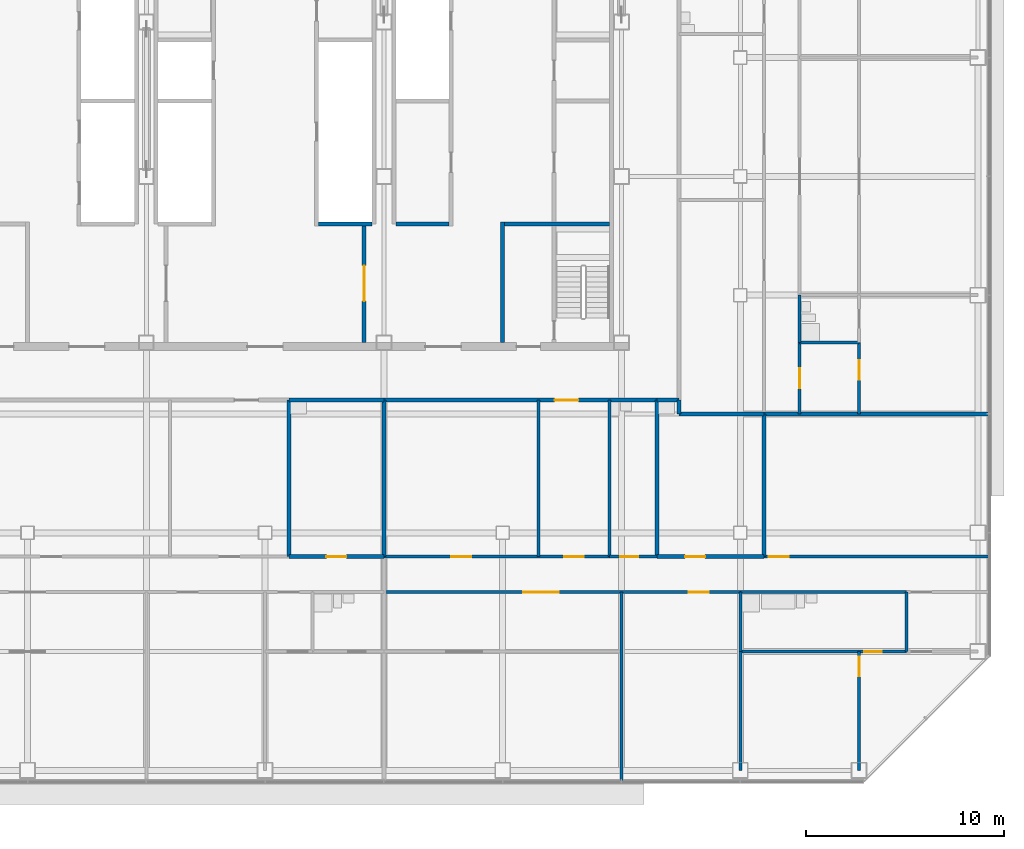
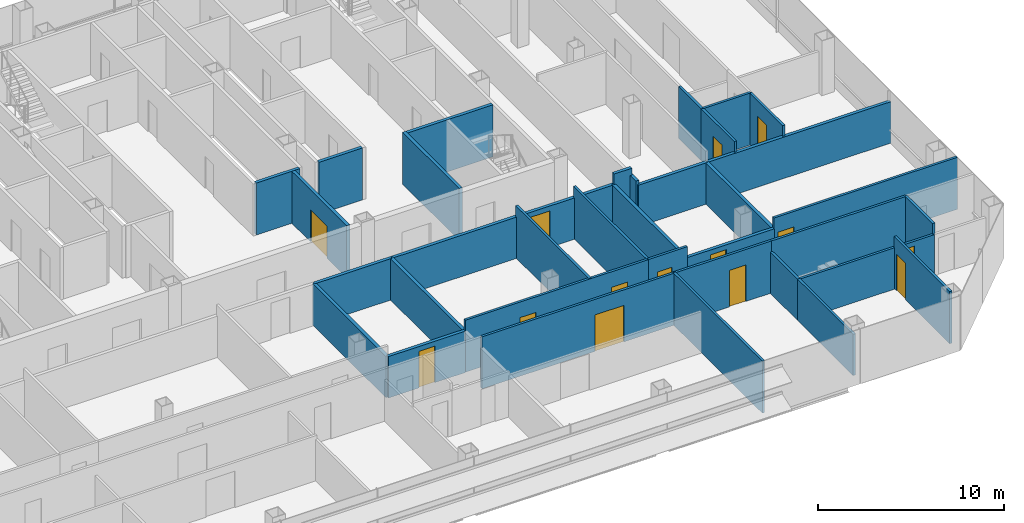
# One storey, part 20 of 25: 34 walls, 14 doors, 14 openings.
"""IFC4 building model written with IfcOpenShell, lengths in metres."""

from ifc_helpers import new_model, si_unit, direction, frame, frame_2d, origin, place, context, subcontext, project, spatial, rectangle, extrude, material, layer, layer_set, type_object, element, fill, save


model = new_model("IFC4")

# Units and contexts
model_context = context("Model", 3, precision=1e-05, world=origin(), true_north=direction((0.0, 1.0)))
body_context = subcontext(model_context, "Body", "Model", "MODEL_VIEW")
ifc_project = project(units=[si_unit("LENGTHUNIT", "METRE"), si_unit("AREAUNIT", "SQUARE_METRE"), si_unit("VOLUMEUNIT", "CUBIC_METRE"), si_unit("PLANEANGLEUNIT", "RADIAN"), si_unit("MASSUNIT", "GRAM", prefix="KILO")], contexts=[model_context])

# Site, building, storey
site_placement = place(None, origin())
site = spatial("IfcSite", under=ifc_project, at=site_placement, CompositionType="ELEMENT")
building_placement = place(site_placement, origin())
building = spatial("IfcBuilding", under=site, at=building_placement, Name="Sorahane Residences", CompositionType="ELEMENT")
storey_placement = place(building_placement, frame((0.0, 0.0, 130.39990234375)))
storey = spatial("IfcBuildingStorey", under=building, at=storey_placement, Name="L29", CompositionType="ELEMENT", Elevation=130.39990234375)

# Wall, opening, door
ifc_material_1 = material(Name="Concrete blockwork C20 wall", Category="masonry")
ifc_layer_1 = layer(ifc_material_1, 0.199951171875)
ifc_layer_set_1 = layer_set([ifc_layer_1], Name="Corridor wall 200 EI 120")
wall_type_1 = type_object("IfcWallType", Name="Corridor wall 200 EI 120", PredefinedType="SOLIDWALL", material=ifc_layer_set_1)
wall_1_placement = place(storey_placement, frame((30.0, 18.699951171875, 0.0), z_axis=(0.0, 0.0, 1.0), x_axis=(1.0, 0.0, 0.0)))
wall_1 = element("IfcWall", 1, at=wall_1_placement, inside=storey, type_object=wall_type_1, Name="L29 corridor wall", PredefinedType="SOLIDWALL", context=body_context, shape_type="SweptSolid", body=[
    extrude(rectangle(XDim=13.800048828125, YDim=0.199951171875, at=frame_2d((6.89990234375, 0.0))), origin(), (0.0, 0.0, 1.0), 2.72021484375),
])
opening_1_placement = place(wall_1_placement, frame((8.6201171875, 0.0, 0.0)))
opening_1 = element("IfcOpeningElement", 2, at=opening_1_placement, cuts=wall_1, Name="Opening L29-39", PredefinedType="OPENING", context=body_context, shape_type="SweptSolid", body=[
    extrude(rectangle(XDim=1.199951171875, YDim=2.39990234375, at=frame_2d((0.60009765625, 1.199951171875))), frame((0.0, 0.10986328125, 0.0), z_axis=(0.0, -1.0, 0.0), x_axis=(1.0, 0.0, 0.0)), (0.0, 0.0, 1.0), 0.219970703125),
])
ifc_material_2 = material(Name="Timber veneered fire door", Category="wood")
door_type_1 = type_object("IfcDoorType", Name="Flat entrance door 1200x2400 FD60", OperationType="NOTDEFINED", PredefinedType="DOOR", material=ifc_material_2)
door_1_placement = place(opening_1_placement, frame((1.199951171875, 0.0, 0.0), z_axis=(0.0, 0.0, 1.0), x_axis=(-1.0, 0.0, 0.0)))
door_1 = element("IfcDoor", 3, at=door_1_placement, inside=storey, type_object=door_type_1, Name="Flat entrance door L29-39", OperationType="SINGLE_SWING_LEFT", OverallHeight=2.39990234375, OverallWidth=1.199951171875, PredefinedType="DOOR", context=body_context, shape_type="SweptSolid", body=[
    extrude(rectangle(XDim=1.199951171875, YDim=2.39990234375, at=frame_2d((0.60009765625, 1.199951171875))), frame((0.0, 0.02490234375, 0.0), z_axis=(0.0, -1.0, 0.0), x_axis=(1.0, 0.0, 0.0)), (0.0, 0.0, 1.0), 0.050048828125),
])
fill(opening_1, door_1)

# Walls
ifc_material_3 = material(Name="Concrete C30", Category="concrete")
ifc_layer_2 = layer(ifc_material_3, 0.199951171875)
ifc_layer_set_2 = layer_set([ifc_layer_2], Name="Front room wall 200 EI 120")
wall_type_2 = type_object("IfcWallType", Name="Front room wall 200 EI 120", PredefinedType="PARTITIONING", material=ifc_layer_set_2)
wall_2_placement = place(storey_placement, frame((36.0, 21.60009765625, 0.0), z_axis=(0.0, 0.0, 1.0), x_axis=(0.0, 1.0, 0.0)))
element("IfcWall", 4, at=wall_2_placement, inside=storey, type_object=wall_type_2, Name="L29 front room wall", PredefinedType="PARTITIONING", context=body_context, shape_type="SweptSolid", body=[
    extrude(rectangle(XDim=6.099853515625, YDim=0.199951171875, at=frame_2d((3.0498046875, 0.0))), origin(), (0.0, 0.0, 1.0), 3.420166015625),
])
ifc_material_4 = material(Name="Concrete blockwork C20 wall", Category="masonry")
ifc_layer_3 = layer(ifc_material_4, 0.199951171875)
ifc_layer_set_3 = layer_set([ifc_layer_3], Name="Kitchen wall 200 EI 180")
wall_type_3 = type_object("IfcWallType", Name="Kitchen wall 200 EI 180", PredefinedType="SOLIDWALL", material=ifc_layer_set_3)
for number, where, z_axis, x_axis, name in (
    (5, (25.199951171875, 10.800048828125, 0.0), (0.0, 0.0, 1.0), (0.0, 1.0, 0.0), "L29 kitchen wall"),
    (6, (30.0, 10.800048828125, 0.0), (0.0, 0.0, 1.0), (0.0, 1.0, 0.0), "L29 kitchen wall"),
    (7, (43.800048828125, 10.800048828125, 0.0), (0.0, 0.0, 1.0), (0.0, 1.0, 0.0), "L29 kitchen wall"),
):
    element("IfcWall", number, at=place(storey_placement, frame(where, z_axis=z_axis, x_axis=x_axis)), inside=storey, type_object=wall_type_3, Name=name, PredefinedType="SOLIDWALL", context=body_context, shape_type="SweptSolid", body=[
        extrude(rectangle(XDim=7.89990234375, YDim=0.199951171875, at=frame_2d((3.949951171875, 0.0))), origin(), (0.0, 0.0, 1.0), 2.72021484375),
    ])
wall_3_placement = place(storey_placement, frame((44.89990234375, 18.0, 0.0), z_axis=(0.0, 0.0, 1.0), x_axis=(0.0, 1.0, 0.0)))
element("IfcWall", 8, at=wall_3_placement, inside=storey, type_object=wall_type_3, Name="L29 kitchen wall", PredefinedType="SOLIDWALL", context=body_context, shape_type="SweptSolid", body=[
    extrude(rectangle(XDim=0.699951171875, YDim=0.199951171875, at=frame_2d((0.35009765625, 0.0))), origin(), (0.0, 0.0, 1.0), 2.97021484375),
])
wall_4_placement = place(storey_placement, frame((49.199951171875, 10.800048828125, 0.0), z_axis=(0.0, 0.0, 1.0), x_axis=(0.0, 1.0, 0.0)))
element("IfcWall", 9, at=wall_4_placement, inside=storey, type_object=wall_type_3, Name="L29 kitchen wall", PredefinedType="SOLIDWALL", context=body_context, shape_type="SweptSolid", body=[
    extrude(rectangle(XDim=7.199951171875, YDim=0.199951171875, at=frame_2d((3.60009765625, 0.0))), origin(), (0.0, 0.0, 1.0), 2.72021484375),
])

# Wall, opening, door
wall_5_placement = place(storey_placement, frame((25.199951171875, 10.800048828125, 0.0), z_axis=(0.0, 0.0, 1.0), x_axis=(1.0, 0.0, 0.0)))
wall_5 = element("IfcWall", 10, at=wall_5_placement, inside=storey, type_object=wall_type_3, Name="L29 kitchen wall", PredefinedType="SOLIDWALL", context=body_context, shape_type="SweptSolid", body=[
    extrude(rectangle(XDim=4.800048828125, YDim=0.199951171875, at=frame_2d((2.39990234375, 0.0))), origin(), (0.0, 0.0, 1.0), 2.72021484375),
])
opening_2_placement = place(wall_5_placement, frame((1.89990234375, 0.0, 0.0)))
opening_2 = element("IfcOpeningElement", 11, at=opening_2_placement, cuts=wall_5, Name="Opening L29-05", PredefinedType="OPENING", context=body_context, shape_type="SweptSolid", body=[
    extrude(rectangle(XDim=1.0, YDim=2.39990234375, at=frame_2d((0.5, 1.199951171875))), frame((0.0, 0.10986328125, 0.0), z_axis=(0.0, -1.0, 0.0), x_axis=(1.0, 0.0, 0.0)), (0.0, 0.0, 1.0), 0.219970703125),
])
ifc_material_5 = material(Name="Steel", Category="steel")
door_type_2 = type_object("IfcDoorType", Name="Kitchen door 1000x2400 FD120", OperationType="NOTDEFINED", PredefinedType="DOOR", material=ifc_material_5)
door_2_placement = place(opening_2_placement, origin())
door_2 = element("IfcDoor", 12, at=door_2_placement, inside=storey, type_object=door_type_2, Name="Kitchen door L29-05", OperationType="SINGLE_SWING_LEFT", OverallHeight=2.39990234375, OverallWidth=1.0, PredefinedType="DOOR", context=body_context, shape_type="SweptSolid", body=[
    extrude(rectangle(XDim=1.0, YDim=2.39990234375, at=frame_2d((0.5, 1.199951171875))), frame((0.0, 0.02490234375, 0.0), z_axis=(0.0, -1.0, 0.0), x_axis=(1.0, 0.0, 0.0)), (0.0, 0.0, 1.0), 0.050048828125),
])
fill(opening_2, door_2)

wall_6_placement = place(storey_placement, frame((43.800048828125, 10.800048828125, 0.0), z_axis=(0.0, 0.0, 1.0), x_axis=(1.0, 0.0, 0.0)))
wall_6 = element("IfcWall", 13, at=wall_6_placement, inside=storey, type_object=wall_type_3, Name="L29 kitchen wall", PredefinedType="SOLIDWALL", context=body_context, shape_type="SweptSolid", body=[
    extrude(rectangle(XDim=5.39990234375, YDim=0.199951171875, at=frame_2d((2.699951171875, 0.0))), origin(), (0.0, 0.0, 1.0), 2.72021484375),
])
opening_3_placement = place(wall_6_placement, frame((1.419921875, 0.0, 0.0)))
opening_3 = element("IfcOpeningElement", 14, at=opening_3_placement, cuts=wall_6, Name="Opening L29-17", PredefinedType="OPENING", context=body_context, shape_type="SweptSolid", body=[
    extrude(rectangle(XDim=1.0, YDim=2.39990234375, at=frame_2d((0.5, 1.199951171875))), frame((0.0, 0.10986328125, 0.0), z_axis=(0.0, -1.0, 0.0), x_axis=(1.0, 0.0, 0.0)), (0.0, 0.0, 1.0), 0.219970703125),
])
door_3_placement = place(opening_3_placement, origin())
door_3 = element("IfcDoor", 15, at=door_3_placement, inside=storey, type_object=door_type_2, Name="Kitchen door L29-17", OperationType="SINGLE_SWING_RIGHT", OverallHeight=2.39990234375, OverallWidth=1.0, PredefinedType="DOOR", context=body_context, shape_type="SweptSolid", body=[
    extrude(rectangle(XDim=1.0, YDim=2.39990234375, at=frame_2d((0.5, 1.199951171875))), frame((0.0, 0.02490234375, 0.0), z_axis=(0.0, -1.0, 0.0), x_axis=(1.0, 0.0, 0.0)), (0.0, 0.0, 1.0), 0.050048828125),
])
fill(opening_3, door_3)

# Walls
wall_7_placement = place(storey_placement, frame((44.89990234375, 18.0, 0.0), z_axis=(0.0, 0.0, 1.0), x_axis=(1.0, 0.0, 0.0)))
element("IfcWall", 16, at=wall_7_placement, inside=storey, type_object=wall_type_3, Name="L29 kitchen wall", PredefinedType="SOLIDWALL", context=body_context, shape_type="SweptSolid", body=[
    extrude(rectangle(XDim=4.300048828125, YDim=0.199951171875, at=frame_2d((2.14990234375, 0.0))), origin(), (0.0, 0.0, 1.0), 2.72021484375),
])
wall_8_placement = place(storey_placement, frame((25.199951171875, 18.699951171875, 0.0), z_axis=(0.0, 0.0, 1.0), x_axis=(1.0, 0.0, 0.0)))
element("IfcWall", 17, at=wall_8_placement, inside=storey, type_object=wall_type_3, Name="L29 kitchen wall", PredefinedType="SOLIDWALL", context=body_context, shape_type="SweptSolid", body=[
    extrude(rectangle(XDim=4.800048828125, YDim=0.199951171875, at=frame_2d((2.39990234375, 0.0))), origin(), (0.0, 0.0, 1.0), 2.72021484375),
])
wall_9_placement = place(storey_placement, frame((43.800048828125, 18.699951171875, 0.0), z_axis=(0.0, 0.0, 1.0), x_axis=(1.0, 0.0, 0.0)))
element("IfcWall", 18, at=wall_9_placement, inside=storey, type_object=wall_type_3, Name="L29 kitchen wall", PredefinedType="SOLIDWALL", context=body_context, shape_type="SweptSolid", body=[
    extrude(rectangle(XDim=1.099853515625, YDim=0.199951171875, at=frame_2d((0.5498046875, 0.0))), origin(), (0.0, 0.0, 1.0), 3.420166015625),
])
ifc_material_6 = material(Name="Gypsum board partition on steel studs", Category="steel")
ifc_layer_4 = layer(ifc_material_6, 0.14990234375)
ifc_layer_set_4 = layer_set([ifc_layer_4], Name="Partition 150 EI 90")
wall_type_4 = type_object("IfcWallType", Name="Partition 150 EI 90", PredefinedType="PARTITIONING", material=ifc_layer_set_4)
wall_10_placement = place(storey_placement, frame((37.800048828125, 10.800048828125, 0.0), z_axis=(0.0, 0.0, 1.0), x_axis=(0.0, 1.0, 0.0)))
element("IfcWall", 19, at=wall_10_placement, inside=storey, type_object=wall_type_4, Name="L29 partition", PredefinedType="PARTITIONING", context=body_context, shape_type="SweptSolid", body=[
    extrude(rectangle(XDim=7.89990234375, YDim=0.14990234375, at=frame_2d((3.949951171875, 0.0))), origin(), (0.0, 0.0, 1.0), 3.420166015625),
])
wall_11_placement = place(storey_placement, frame((42.0, -0.60009765625, 0.0), z_axis=(0.0, 0.0, 1.0), x_axis=(0.0, 1.0, 0.0)))
element("IfcWall", 20, at=wall_11_placement, inside=storey, type_object=wall_type_4, Name="L29 partition", PredefinedType="PARTITIONING", context=body_context, shape_type="SweptSolid", body=[
    extrude(rectangle(XDim=9.60009765625, YDim=0.14990234375, at=frame_2d((4.800048828125, 0.0))), origin(), (0.0, 0.0, 1.0), 3.420166015625),
])
wall_12_placement = place(storey_placement, frame((48.0, 0.0, 0.0), z_axis=(0.0, 0.0, 1.0), x_axis=(0.0, 1.0, 0.0)))
element("IfcWall", 21, at=wall_12_placement, inside=storey, type_object=wall_type_4, Name="L29 partition", PredefinedType="PARTITIONING", context=body_context, shape_type="SweptSolid", body=[
    extrude(rectangle(XDim=6.0, YDim=0.14990234375, at=frame_2d((3.0, 0.0))), origin(), (0.0, 0.0, 1.0), 2.72021484375),
])

# Wall, opening, door
wall_13_placement = place(storey_placement, frame((51.0, 18.0, 0.0), z_axis=(0.0, 0.0, 1.0), x_axis=(0.0, 1.0, 0.0)))
wall_13 = element("IfcWall", 22, at=wall_13_placement, inside=storey, type_object=wall_type_4, Name="L29 partition", PredefinedType="PARTITIONING", context=body_context, shape_type="SweptSolid", body=[
    extrude(rectangle(XDim=3.60009765625, YDim=0.14990234375, at=frame_2d((1.800048828125, 0.0))), origin(), (0.0, 0.0, 1.0), 3.420166015625),
])
opening_4_placement = place(wall_13_placement, frame((1.300048828125, 0.0, 0.0)))
opening_4 = element("IfcOpeningElement", 23, at=opening_4_placement, cuts=wall_13, Name="Opening L29-31", PredefinedType="OPENING", context=body_context, shape_type="SweptSolid", body=[
    extrude(rectangle(XDim=1.0, YDim=2.39990234375, at=frame_2d((0.5, 1.199951171875))), frame((0.0, 0.0849609375, 0.0), z_axis=(0.0, -1.0, 0.0), x_axis=(1.0, 0.0, 0.0)), (0.0, 0.0, 1.0), 0.169921875),
])
ifc_material_7 = material(Name="Timber veneered fire door", Category="wood")
door_type_3 = type_object("IfcDoorType", Name="Room door 1000x2400 FD30", OperationType="NOTDEFINED", PredefinedType="DOOR", material=ifc_material_7)
door_4_placement = place(opening_4_placement, frame((1.0, 0.0, 0.0), z_axis=(0.0, 0.0, 1.0), x_axis=(-1.0, 0.0, 0.0)))
door_4 = element("IfcDoor", 24, at=door_4_placement, inside=storey, type_object=door_type_3, Name="Room door L29-31", OperationType="SINGLE_SWING_LEFT", OverallHeight=2.39990234375, OverallWidth=1.0, PredefinedType="DOOR", context=body_context, shape_type="SweptSolid", body=[
    extrude(rectangle(XDim=1.0, YDim=2.39990234375, at=frame_2d((0.5, 1.199951171875))), frame((0.0, 0.02490234375, 0.0), z_axis=(0.0, -1.0, 0.0), x_axis=(1.0, 0.0, 0.0)), (0.0, 0.0, 1.0), 0.050048828125),
])
fill(opening_4, door_4)

wall_14_placement = place(storey_placement, frame((54.0, 0.0, 0.0), z_axis=(0.0, 0.0, 1.0), x_axis=(0.0, 1.0, 0.0)))
wall_14 = element("IfcWall", 25, at=wall_14_placement, inside=storey, type_object=wall_type_4, Name="L29 partition", PredefinedType="PARTITIONING", context=body_context, shape_type="SweptSolid", body=[
    extrude(rectangle(XDim=6.0, YDim=0.14990234375, at=frame_2d((3.0, 0.0))), origin(), (0.0, 0.0, 1.0), 3.420166015625),
])
opening_5_placement = place(wall_14_placement, frame((4.75, 0.0, 0.0)))
opening_5 = element("IfcOpeningElement", 26, at=opening_5_placement, cuts=wall_14, Name="Opening L29-24", PredefinedType="OPENING", context=body_context, shape_type="SweptSolid", body=[
    extrude(rectangle(XDim=1.0, YDim=2.39990234375, at=frame_2d((0.5, 1.199951171875))), frame((0.0, 0.0849609375, 0.0), z_axis=(0.0, -1.0, 0.0), x_axis=(1.0, 0.0, 0.0)), (0.0, 0.0, 1.0), 0.169921875),
])
door_5_placement = place(opening_5_placement, origin())
door_5 = element("IfcDoor", 27, at=door_5_placement, inside=storey, type_object=door_type_3, Name="Room door L29-24", OperationType="SINGLE_SWING_LEFT", OverallHeight=2.39990234375, OverallWidth=1.0, PredefinedType="DOOR", context=body_context, shape_type="SweptSolid", body=[
    extrude(rectangle(XDim=1.0, YDim=2.39990234375, at=frame_2d((0.5, 1.199951171875))), frame((0.0, 0.02490234375, 0.0), z_axis=(0.0, -1.0, 0.0), x_axis=(1.0, 0.0, 0.0)), (0.0, 0.0, 1.0), 0.050048828125),
])
fill(opening_5, door_5)

wall_15_placement = place(storey_placement, frame((54.0, 18.0, 0.0), z_axis=(0.0, 0.0, 1.0), x_axis=(0.0, 1.0, 0.0)))
wall_15 = element("IfcWall", 28, at=wall_15_placement, inside=storey, type_object=wall_type_4, Name="L29 partition", PredefinedType="PARTITIONING", context=body_context, shape_type="SweptSolid", body=[
    extrude(rectangle(XDim=3.60009765625, YDim=0.14990234375, at=frame_2d((1.800048828125, 0.0))), origin(), (0.0, 0.0, 1.0), 3.420166015625),
])
opening_6_placement = place(wall_15_placement, frame((1.719970703125, 0.0, 0.0)))
opening_6 = element("IfcOpeningElement", 29, at=opening_6_placement, cuts=wall_15, Name="Opening L29-34", PredefinedType="OPENING", context=body_context, shape_type="SweptSolid", body=[
    extrude(rectangle(XDim=1.0, YDim=2.39990234375, at=frame_2d((0.5, 1.199951171875))), frame((0.0, 0.0849609375, 0.0), z_axis=(0.0, -1.0, 0.0), x_axis=(1.0, 0.0, 0.0)), (0.0, 0.0, 1.0), 0.169921875),
])
door_6_placement = place(opening_6_placement, frame((1.0, 0.0, 0.0), z_axis=(0.0, 0.0, 1.0), x_axis=(-1.0, 0.0, 0.0)))
door_6 = element("IfcDoor", 30, at=door_6_placement, inside=storey, type_object=door_type_3, Name="Room door L29-34", OperationType="SINGLE_SWING_LEFT", OverallHeight=2.39990234375, OverallWidth=1.0, PredefinedType="DOOR", context=body_context, shape_type="SweptSolid", body=[
    extrude(rectangle(XDim=1.0, YDim=2.39990234375, at=frame_2d((0.5, 1.199951171875))), frame((0.0, 0.02490234375, 0.0), z_axis=(0.0, -1.0, 0.0), x_axis=(1.0, 0.0, 0.0)), (0.0, 0.0, 1.0), 0.050048828125),
])
fill(opening_6, door_6)

# Wall, openings, doors
wall_16_placement = place(storey_placement, frame((30.0, 10.800048828125, 0.0), z_axis=(0.0, 0.0, 1.0), x_axis=(1.0, 0.0, 0.0)))
wall_16 = element("IfcWall", 31, at=wall_16_placement, inside=storey, type_object=wall_type_4, Name="L29 partition", PredefinedType="PARTITIONING", context=body_context, shape_type="SweptSolid", body=[
    extrude(rectangle(XDim=11.39990234375, YDim=0.14990234375, at=frame_2d((5.699951171875, 0.0))), origin(), (0.0, 0.0, 1.0), 3.420166015625),
])
opening_7_placement = place(wall_16_placement, frame((9.10009765625, 0.0, 0.0)))
opening_7 = element("IfcOpeningElement", 32, at=opening_7_placement, cuts=wall_16, Name="Opening L29-14", PredefinedType="OPENING", context=body_context, shape_type="SweptSolid", body=[
    extrude(rectangle(XDim=1.0, YDim=2.39990234375, at=frame_2d((0.5, 1.199951171875))), frame((0.0, 0.0849609375, 0.0), z_axis=(0.0, -1.0, 0.0), x_axis=(1.0, 0.0, 0.0)), (0.0, 0.0, 1.0), 0.169921875),
])
opening_8_placement = place(wall_16_placement, frame((3.39990234375, 0.0, 0.0)))
opening_8 = element("IfcOpeningElement", 33, at=opening_8_placement, cuts=wall_16, Name="Opening L29-15", PredefinedType="OPENING", context=body_context, shape_type="SweptSolid", body=[
    extrude(rectangle(XDim=1.0, YDim=2.39990234375, at=frame_2d((0.5, 1.199951171875))), frame((0.0, 0.0849609375, 0.0), z_axis=(0.0, -1.0, 0.0), x_axis=(1.0, 0.0, 0.0)), (0.0, 0.0, 1.0), 0.169921875),
])
door_7_placement = place(opening_7_placement, frame((1.0, 0.0, 0.0), z_axis=(0.0, 0.0, 1.0), x_axis=(-1.0, 0.0, 0.0)))
door_7 = element("IfcDoor", 34, at=door_7_placement, inside=storey, type_object=door_type_3, Name="Room door L29-14", OperationType="SINGLE_SWING_LEFT", OverallHeight=2.39990234375, OverallWidth=1.0, PredefinedType="DOOR", context=body_context, shape_type="SweptSolid", body=[
    extrude(rectangle(XDim=1.0, YDim=2.39990234375, at=frame_2d((0.5, 1.199951171875))), frame((0.0, 0.02490234375, 0.0), z_axis=(0.0, -1.0, 0.0), x_axis=(1.0, 0.0, 0.0)), (0.0, 0.0, 1.0), 0.050048828125),
])
fill(opening_7, door_7)
door_8_placement = place(opening_8_placement, origin())
door_8 = element("IfcDoor", 35, at=door_8_placement, inside=storey, type_object=door_type_3, Name="Room door L29-15", OperationType="SINGLE_SWING_LEFT", OverallHeight=2.39990234375, OverallWidth=1.0, PredefinedType="DOOR", context=body_context, shape_type="SweptSolid", body=[
    extrude(rectangle(XDim=1.0, YDim=2.39990234375, at=frame_2d((0.5, 1.199951171875))), frame((0.0, 0.02490234375, 0.0), z_axis=(0.0, -1.0, 0.0), x_axis=(1.0, 0.0, 0.0)), (0.0, 0.0, 1.0), 0.050048828125),
])
fill(opening_8, door_8)

# Wall, opening, door
wall_17_placement = place(storey_placement, frame((49.199951171875, 10.800048828125, 0.0), z_axis=(0.0, 0.0, 1.0), x_axis=(1.0, 0.0, 0.0)))
wall_17 = element("IfcWall", 36, at=wall_17_placement, inside=storey, type_object=wall_type_4, Name="L29 partition", PredefinedType="PARTITIONING", context=body_context, shape_type="SweptSolid", body=[
    extrude(rectangle(XDim=11.400146484375, YDim=0.14990234375, at=frame_2d((5.7001953125, 0.0))), origin(), (0.0, 0.0, 1.0), 3.420166015625),
])
opening_9_placement = place(wall_17_placement, frame((0.25, 0.0, 0.0)))
opening_9 = element("IfcOpeningElement", 37, at=opening_9_placement, cuts=wall_17, Name="Opening L29-18", PredefinedType="OPENING", context=body_context, shape_type="SweptSolid", body=[
    extrude(rectangle(XDim=1.0, YDim=2.39990234375, at=frame_2d((0.5, 1.199951171875))), frame((0.0, 0.0849609375, 0.0), z_axis=(0.0, -1.0, 0.0), x_axis=(1.0, 0.0, 0.0)), (0.0, 0.0, 1.0), 0.169921875),
])
door_9_placement = place(opening_9_placement, origin())
door_9 = element("IfcDoor", 38, at=door_9_placement, inside=storey, type_object=door_type_3, Name="Room door L29-18", OperationType="SINGLE_SWING_LEFT", OverallHeight=2.39990234375, OverallWidth=1.0, PredefinedType="DOOR", context=body_context, shape_type="SweptSolid", body=[
    extrude(rectangle(XDim=1.0, YDim=2.39990234375, at=frame_2d((0.5, 1.199951171875))), frame((0.0, 0.02490234375, 0.0), z_axis=(0.0, -1.0, 0.0), x_axis=(1.0, 0.0, 0.0)), (0.0, 0.0, 1.0), 0.050048828125),
])
fill(opening_9, door_9)

# Wall, openings, doors
wall_18_placement = place(storey_placement, frame((30.0, 9.0, 0.0), z_axis=(0.0, 0.0, 1.0), x_axis=(1.0, 0.0, 0.0)))
wall_18 = element("IfcWall", 39, at=wall_18_placement, inside=storey, type_object=wall_type_4, Name="L29 partition", PredefinedType="PARTITIONING", context=body_context, shape_type="SweptSolid", body=[
    extrude(rectangle(XDim=18.0, YDim=0.14990234375, at=frame_2d((9.0, 0.0))), origin(), (0.0, 0.0, 1.0), 3.420166015625),
])
opening_10_placement = place(wall_18_placement, frame((7.0400390625, 0.0, 0.0)))
opening_10 = element("IfcOpeningElement", 40, at=opening_10_placement, cuts=wall_18, Name="Opening L29-19", PredefinedType="OPENING", context=body_context, shape_type="SweptSolid", body=[
    extrude(rectangle(XDim=1.800048828125, YDim=2.39990234375, at=frame_2d((0.89990234375, 1.199951171875))), frame((0.0, 0.0849609375, 0.0), z_axis=(0.0, -1.0, 0.0), x_axis=(1.0, 0.0, 0.0)), (0.0, 0.0, 1.0), 0.169921875),
])
opening_11_placement = place(wall_18_placement, frame((15.39990234375, 0.0, 0.0)))
opening_11 = element("IfcOpeningElement", 41, at=opening_11_placement, cuts=wall_18, Name="Opening L29-20", PredefinedType="OPENING", context=body_context, shape_type="SweptSolid", body=[
    extrude(rectangle(XDim=1.0, YDim=2.39990234375, at=frame_2d((0.5, 1.199951171875))), frame((0.0, 0.0849609375, 0.0), z_axis=(0.0, -1.0, 0.0), x_axis=(1.0, 0.0, 0.0)), (0.0, 0.0, 1.0), 0.169921875),
])
ifc_material_8 = material(Name="Timber veneered fire door", Category="wood")
door_type_4 = type_object("IfcDoorType", Name="Double door 1800x2400 FD30", OperationType="NOTDEFINED", PredefinedType="DOOR", material=ifc_material_8)
door_10_placement = place(opening_10_placement, frame((1.800048828125, 0.0, 0.0), z_axis=(0.0, 0.0, 1.0), x_axis=(-1.0, 0.0, 0.0)))
door_10 = element("IfcDoor", 42, at=door_10_placement, inside=storey, type_object=door_type_4, Name="Double door L29-19", OperationType="SINGLE_SWING_RIGHT", OverallHeight=2.39990234375, OverallWidth=1.800048828125, PredefinedType="DOOR", context=body_context, shape_type="SweptSolid", body=[
    extrude(rectangle(XDim=1.800048828125, YDim=2.39990234375, at=frame_2d((0.89990234375, 1.199951171875))), frame((0.0, 0.02490234375, 0.0), z_axis=(0.0, -1.0, 0.0), x_axis=(1.0, 0.0, 0.0)), (0.0, 0.0, 1.0), 0.050048828125),
])
fill(opening_10, door_10)
door_11_placement = place(opening_11_placement, frame((1.0, 0.0, 0.0), z_axis=(0.0, 0.0, 1.0), x_axis=(-1.0, 0.0, 0.0)))
door_11 = element("IfcDoor", 43, at=door_11_placement, inside=storey, type_object=door_type_3, Name="Room door L29-20", OperationType="SINGLE_SWING_LEFT", OverallHeight=2.39990234375, OverallWidth=1.0, PredefinedType="DOOR", context=body_context, shape_type="SweptSolid", body=[
    extrude(rectangle(XDim=1.0, YDim=2.39990234375, at=frame_2d((0.5, 1.199951171875))), frame((0.0, 0.02490234375, 0.0), z_axis=(0.0, -1.0, 0.0), x_axis=(1.0, 0.0, 0.0)), (0.0, 0.0, 1.0), 0.050048828125),
])
fill(opening_11, door_11)

# Walls
ifc_material_9 = material(Name="Concrete blockwork C20 wall", Category="masonry")
ifc_layer_5 = layer(ifc_material_9, 0.199951171875)
ifc_layer_set_5 = layer_set([ifc_layer_5], Name="Party wall 200 EI 120")
wall_type_5 = type_object("IfcWallType", Name="Party wall 200 EI 120", PredefinedType="SOLIDWALL", material=ifc_layer_set_5)
wall_19_placement = place(storey_placement, frame((49.199951171875, 18.0, 0.0), z_axis=(0.0, 0.0, 1.0), x_axis=(1.0, 0.0, 0.0)))
element("IfcWall", 44, at=wall_19_placement, inside=storey, type_object=wall_type_5, Name="L29 party wall", PredefinedType="SOLIDWALL", context=body_context, shape_type="SweptSolid", body=[
    extrude(rectangle(XDim=11.400146484375, YDim=0.199951171875, at=frame_2d((5.7001953125, 0.0))), origin(), (0.0, 0.0, 1.0), 2.72021484375),
])
ifc_material_10 = material(Name="Concrete C30", Category="concrete")
ifc_layer_6 = layer(ifc_material_10, 0.199951171875)
ifc_layer_set_6 = layer_set([ifc_layer_6], Name="Riser shaft wall 200 EI 120")
wall_type_6 = type_object("IfcWallType", Name="Riser shaft wall 200 EI 120", PredefinedType="SOLIDWALL", material=ifc_layer_set_6)
wall_20_placement = place(storey_placement, frame((26.699951171875, 27.60009765625, 0.0), z_axis=(0.0, 0.0, 1.0), x_axis=(1.0, 0.0, 0.0)))
element("IfcWall", 45, at=wall_20_placement, inside=storey, type_object=wall_type_6, Name="L29 riser wall", PredefinedType="SOLIDWALL", context=body_context, shape_type="SweptSolid", body=[
    extrude(rectangle(XDim=2.699951171875, YDim=0.199951171875, at=frame_2d((1.35009765625, 0.0))), origin(), (0.0, 0.0, 1.0), 3.420166015625),
])

# Wall, opening, door
ifc_material_11 = material(Name="Concrete C30", Category="concrete")
ifc_layer_7 = layer(ifc_material_11, 0.199951171875)
ifc_layer_set_7 = layer_set([ifc_layer_7], Name="Service room partition 200 EI 60")
wall_type_7 = type_object("IfcWallType", Name="Service room partition 200 EI 60", PredefinedType="PARTITIONING", material=ifc_layer_set_7)
wall_21_placement = place(storey_placement, frame((29.0, 21.60009765625, 0.0), z_axis=(0.0, 0.0, 1.0), x_axis=(0.0, 1.0, 0.0)))
wall_21 = element("IfcWall", 46, at=wall_21_placement, inside=storey, type_object=wall_type_7, Name="L29 service room wall", PredefinedType="PARTITIONING", context=body_context, shape_type="SweptSolid", body=[
    extrude(rectangle(XDim=6.0, YDim=0.199951171875, at=frame_2d((3.0, 0.0))), origin(), (0.0, 0.0, 1.0), 3.420166015625),
])
opening_12_placement = place(wall_21_placement, frame((2.10009765625, 0.0, 0.0)))
opening_12 = element("IfcOpeningElement", 47, at=opening_12_placement, cuts=wall_21, Name="Opening L29-C04", PredefinedType="OPENING", context=body_context, shape_type="SweptSolid", body=[
    extrude(rectangle(XDim=1.800048828125, YDim=2.10009765625, at=frame_2d((0.89990234375, 1.050048828125))), frame((0.0, 0.10986328125, 0.0), z_axis=(0.0, -1.0, 0.0), x_axis=(1.0, 0.0, 0.0)), (0.0, 0.0, 1.0), 0.219970703125),
])
ifc_material_12 = material(Name="Steel", Category="steel")
door_type_5 = type_object("IfcDoorType", Name="Waiting hall door 1800x2100 FD60", OperationType="NOTDEFINED", PredefinedType="DOOR", material=ifc_material_12)
door_12_placement = place(opening_12_placement, origin())
door_12 = element("IfcDoor", 48, at=door_12_placement, inside=storey, type_object=door_type_5, Name="Waiting hall door Residents' waiting hall centre L29", OperationType="SINGLE_SWING_LEFT", OverallHeight=2.10009765625, OverallWidth=1.800048828125, PredefinedType="DOOR", context=body_context, shape_type="SweptSolid", body=[
    extrude(rectangle(XDim=1.800048828125, YDim=2.10009765625, at=frame_2d((0.89990234375, 1.050048828125))), frame((0.0, 0.02490234375, 0.0), z_axis=(0.0, -1.0, 0.0), x_axis=(1.0, 0.0, 0.0)), (0.0, 0.0, 1.0), 0.050048828125),
])
fill(opening_12, door_12)

# Walls
wall_22_placement = place(storey_placement, frame((30.60009765625, 27.60009765625, 0.0), z_axis=(0.0, 0.0, 1.0), x_axis=(1.0, 0.0, 0.0)))
element("IfcWall", 49, at=wall_22_placement, inside=storey, type_object=wall_type_7, Name="L29 service room wall", PredefinedType="PARTITIONING", context=body_context, shape_type="SweptSolid", body=[
    extrude(rectangle(XDim=2.699951171875, YDim=0.199951171875, at=frame_2d((1.35009765625, 0.0))), origin(), (0.0, 0.0, 1.0), 3.420166015625),
])
ifc_material_13 = material(Name="Concrete C30", Category="concrete")
ifc_layer_8 = layer(ifc_material_13, 0.199951171875)
ifc_layer_set_8 = layer_set([ifc_layer_8], Name="Stair enclosure wall 200 EI 120")
wall_type_8 = type_object("IfcWallType", Name="Stair enclosure wall 200 EI 120", PredefinedType="SOLIDWALL", material=ifc_layer_set_8)
wall_23_placement = place(storey_placement, frame((36.10009765625, 27.60009765625, 0.0), z_axis=(0.0, 0.0, 1.0), x_axis=(1.0, 0.0, 0.0)))
element("IfcWall", 50, at=wall_23_placement, inside=storey, type_object=wall_type_8, Name="L29 stair enclosure wall", PredefinedType="SOLIDWALL", context=body_context, shape_type="SweptSolid", body=[
    extrude(rectangle(XDim=5.2998046875, YDim=0.199951171875, at=frame_2d((2.64990234375, 0.0))), origin(), (0.0, 0.0, 1.0), 3.420166015625),
])
ifc_material_14 = material(Name="Gypsum board partition on steel studs", Category="steel")
ifc_layer_9 = layer(ifc_material_14, 0.14990234375)
ifc_layer_set_9 = layer_set([ifc_layer_9], Name="Wet wall 150 EI 90")
wall_type_9 = type_object("IfcWallType", Name="Wet wall 150 EI 90", PredefinedType="PARTITIONING", material=ifc_layer_set_9)
wall_24_placement = place(storey_placement, frame((41.39990234375, 10.800048828125, 0.0), z_axis=(0.0, 0.0, 1.0), x_axis=(0.0, 1.0, 0.0)))
element("IfcWall", 51, at=wall_24_placement, inside=storey, type_object=wall_type_9, Name="L29 wet wall", PredefinedType="PARTITIONING", context=body_context, shape_type="SweptSolid", body=[
    extrude(rectangle(XDim=7.89990234375, YDim=0.14990234375, at=frame_2d((3.949951171875, 0.0))), origin(), (0.0, 0.0, 1.0), 3.420166015625),
])
wall_25_placement = place(storey_placement, frame((48.0, 6.0, 0.0), z_axis=(0.0, 0.0, 1.0), x_axis=(0.0, 1.0, 0.0)))
element("IfcWall", 52, at=wall_25_placement, inside=storey, type_object=wall_type_9, Name="L29 wet wall", PredefinedType="PARTITIONING", context=body_context, shape_type="SweptSolid", body=[
    extrude(rectangle(XDim=3.0, YDim=0.14990234375, at=frame_2d((1.5, 0.0))), origin(), (0.0, 0.0, 1.0), 2.72021484375),
])
wall_26_placement = place(storey_placement, frame((51.0, 21.60009765625, 0.0), z_axis=(0.0, 0.0, 1.0), x_axis=(0.0, 1.0, 0.0)))
element("IfcWall", 53, at=wall_26_placement, inside=storey, type_object=wall_type_9, Name="L29 wet wall", PredefinedType="PARTITIONING", context=body_context, shape_type="SweptSolid", body=[
    extrude(rectangle(XDim=2.39990234375, YDim=0.14990234375, at=frame_2d((1.199951171875, 0.0))), origin(), (0.0, 0.0, 1.0), 3.420166015625),
])
wall_27_placement = place(storey_placement, frame((56.39990234375, 6.0, 0.0), z_axis=(0.0, 0.0, 1.0), x_axis=(0.0, 1.0, 0.0)))
element("IfcWall", 54, at=wall_27_placement, inside=storey, type_object=wall_type_9, Name="L29 wet wall", PredefinedType="PARTITIONING", context=body_context, shape_type="SweptSolid", body=[
    extrude(rectangle(XDim=3.0, YDim=0.14990234375, at=frame_2d((1.5, 0.0))), origin(), (0.0, 0.0, 1.0), 3.420166015625),
])

# Wall, opening, door
wall_28_placement = place(storey_placement, frame((41.39990234375, 10.800048828125, 0.0), z_axis=(0.0, 0.0, 1.0), x_axis=(1.0, 0.0, 0.0)))
wall_28 = element("IfcWall", 55, at=wall_28_placement, inside=storey, type_object=wall_type_9, Name="L29 wet wall", PredefinedType="PARTITIONING", context=body_context, shape_type="SweptSolid", body=[
    extrude(rectangle(XDim=2.400146484375, YDim=0.14990234375, at=frame_2d((1.2001953125, 0.0))), origin(), (0.0, 0.0, 1.0), 3.420166015625),
])
opening_13_placement = place(wall_28_placement, frame((0.550048828125, 0.0, 0.0)))
opening_13 = element("IfcOpeningElement", 56, at=opening_13_placement, cuts=wall_28, Name="Opening L29-16", PredefinedType="OPENING", context=body_context, shape_type="SweptSolid", body=[
    extrude(rectangle(XDim=0.89990234375, YDim=2.39990234375, at=frame_2d((0.449951171875, 1.199951171875))), frame((0.0, 0.0849609375, 0.0), z_axis=(0.0, -1.0, 0.0), x_axis=(1.0, 0.0, 0.0)), (0.0, 0.0, 1.0), 0.169921875),
])
ifc_material_15 = material(Name="Timber veneered fire door", Category="wood")
door_type_6 = type_object("IfcDoorType", Name="Bathroom door 900x2400 FD30", OperationType="NOTDEFINED", PredefinedType="DOOR", material=ifc_material_15)
door_13_placement = place(opening_13_placement, frame((0.89990234375, 0.0, 0.0), z_axis=(0.0, 0.0, 1.0), x_axis=(-1.0, 0.0, 0.0)))
door_13 = element("IfcDoor", 57, at=door_13_placement, inside=storey, type_object=door_type_6, Name="Bathroom door L29-16", OperationType="SINGLE_SWING_RIGHT", OverallHeight=2.39990234375, OverallWidth=0.89990234375, PredefinedType="DOOR", context=body_context, shape_type="SweptSolid", body=[
    extrude(rectangle(XDim=0.89990234375, YDim=2.39990234375, at=frame_2d((0.449951171875, 1.199951171875))), frame((0.0, 0.02490234375, 0.0), z_axis=(0.0, -1.0, 0.0), x_axis=(1.0, 0.0, 0.0)), (0.0, 0.0, 1.0), 0.050048828125),
])
fill(opening_13, door_13)

# Wall
wall_29_placement = place(storey_placement, frame((51.0, 21.60009765625, 0.0), z_axis=(0.0, 0.0, 1.0), x_axis=(1.0, 0.0, 0.0)))
element("IfcWall", 58, at=wall_29_placement, inside=storey, type_object=wall_type_9, Name="L29 wet wall", PredefinedType="PARTITIONING", context=body_context, shape_type="SweptSolid", body=[
    extrude(rectangle(XDim=3.0, YDim=0.14990234375, at=frame_2d((1.5, 0.0))), origin(), (0.0, 0.0, 1.0), 3.420166015625),
])

# Wall, opening, door
wall_30_placement = place(storey_placement, frame((48.0, 6.0, 0.0), z_axis=(0.0, 0.0, 1.0), x_axis=(1.0, 0.0, 0.0)))
wall_30 = element("IfcWall", 59, at=wall_30_placement, inside=storey, type_object=wall_type_9, Name="L29 wet wall", PredefinedType="PARTITIONING", context=body_context, shape_type="SweptSolid", body=[
    extrude(rectangle(XDim=8.39990234375, YDim=0.14990234375, at=frame_2d((4.199951171875, 0.0))), origin(), (0.0, 0.0, 1.0), 2.72021484375),
])
opening_14_placement = place(wall_30_placement, frame((6.25, 0.0, 0.0)))
opening_14 = element("IfcOpeningElement", 60, at=opening_14_placement, cuts=wall_30, Name="Opening L29-25", PredefinedType="OPENING", context=body_context, shape_type="SweptSolid", body=[
    extrude(rectangle(XDim=0.89990234375, YDim=2.39990234375, at=frame_2d((0.449951171875, 1.199951171875))), frame((0.0, 0.0849609375, 0.0), z_axis=(0.0, -1.0, 0.0), x_axis=(1.0, 0.0, 0.0)), (0.0, 0.0, 1.0), 0.169921875),
])
door_14_placement = place(opening_14_placement, frame((0.89990234375, 0.0, 0.0), z_axis=(0.0, 0.0, 1.0), x_axis=(-1.0, 0.0, 0.0)))
door_14 = element("IfcDoor", 61, at=door_14_placement, inside=storey, type_object=door_type_6, Name="Bathroom door L29-25", OperationType="SINGLE_SWING_RIGHT", OverallHeight=2.39990234375, OverallWidth=0.89990234375, PredefinedType="DOOR", context=body_context, shape_type="SweptSolid", body=[
    extrude(rectangle(XDim=0.89990234375, YDim=2.39990234375, at=frame_2d((0.449951171875, 1.199951171875))), frame((0.0, 0.02490234375, 0.0), z_axis=(0.0, -1.0, 0.0), x_axis=(1.0, 0.0, 0.0)), (0.0, 0.0, 1.0), 0.050048828125),
])
fill(opening_14, door_14)

# Wall
wall_31_placement = place(storey_placement, frame((48.0, 9.0, 0.0), z_axis=(0.0, 0.0, 1.0), x_axis=(1.0, 0.0, 0.0)))
element("IfcWall", 62, at=wall_31_placement, inside=storey, type_object=wall_type_9, Name="L29 wet wall", PredefinedType="PARTITIONING", context=body_context, shape_type="SweptSolid", body=[
    extrude(rectangle(XDim=8.39990234375, YDim=0.14990234375, at=frame_2d((4.199951171875, 0.0))), origin(), (0.0, 0.0, 1.0), 3.420166015625),
])

save(model, "model.ifc")
